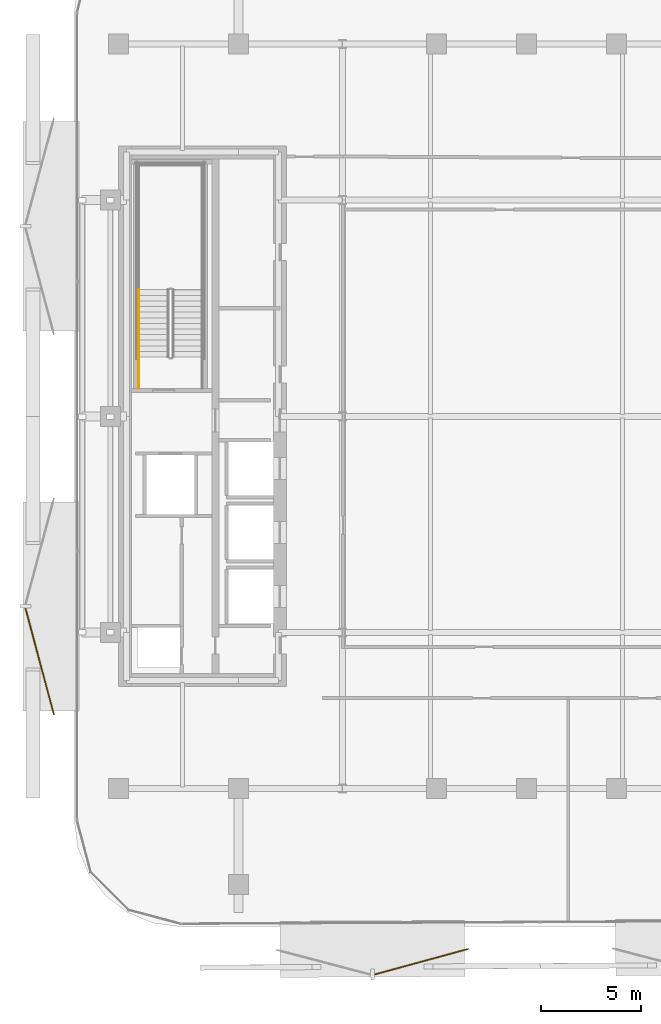
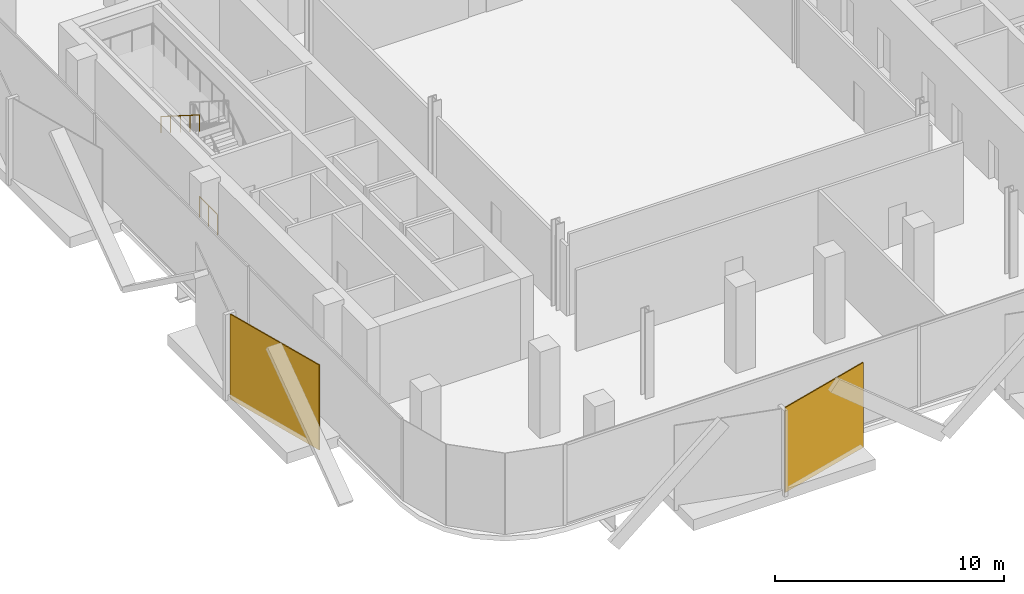
# One storey, part 10 of 14: 2 coverings, 2 railings.
"""IFC4 building model written with IfcOpenShell, lengths in metres."""

from ifc_helpers import new_model, si_unit, direction, frame, origin, origin_2d, place, context, subcontext, project, spatial, rectangle, circle, extrude, material, layer, layer_set, type_object, element, save


model = new_model("IFC4")

# Units and contexts
model_context = context("Model", 3, precision=1e-05, world=origin(), true_north=direction((0.0, 1.0)))
body_context = subcontext(model_context, "Body", "Model", "MODEL_VIEW")
ifc_project = project(units=[si_unit("LENGTHUNIT", "METRE"), si_unit("AREAUNIT", "SQUARE_METRE"), si_unit("VOLUMEUNIT", "CUBIC_METRE"), si_unit("PLANEANGLEUNIT", "RADIAN"), si_unit("MASSUNIT", "GRAM", prefix="KILO")], contexts=[model_context])

# Site, building, storey
site_placement = place(None, origin())
site = spatial("IfcSite", under=ifc_project, at=site_placement, CompositionType="ELEMENT")
building_placement = place(site_placement, origin())
building = spatial("IfcBuilding", under=site, at=building_placement, Name="Khairoan Windgate Tower", CompositionType="ELEMENT")
storey_placement = place(building_placement, frame((0.0, 0.0, 160.39990234375)))
storey = spatial("IfcBuildingStorey", under=building, at=storey_placement, Name="L36", CompositionType="ELEMENT", Elevation=160.39990234375)

# Coverings
ifc_material_1 = material(Name="Anodised Bronze Aluminium 6063-T6", Category="aluminium")
ifc_layer = layer(ifc_material_1, 0.054931640625, Name="Anodised Bronze Aluminium 6063-T6")
ifc_layer_set = layer_set([ifc_layer], Name="Anodised Bronze Aluminium 6063-T6")
covering_type = type_object("IfcCoveringType", Name="Perforated Bronze-Ceramic Folded Solar Screen Cladding BSC-1", PredefinedType="CLADDING", material=ifc_layer_set)
covering_1_placement = place(storey_placement, frame((-5.261962890625, -27.251708984375, -0.099853515625), z_axis=(0.0, 0.0, 1.0), x_axis=(-0.964649468762, -0.263536339841, 0.0)))
element("IfcCovering", 1, at=covering_1_placement, inside=storey, type_object=covering_type, Name="L36 Folded Bronze Solar Screen Facet 226L", PredefinedType="CLADDING", context=body_context, shape_type="SweptSolid", body=[
    extrude(rectangle(XDim=4.861083984375, YDim=0.054931640625, at=origin_2d()), origin(), (0.0, 0.0, 1.0), 4.5400390625),
])
covering_2_placement = place(storey_placement, frame((-24.327392578125, -12.2451171875, -0.099853515625), z_axis=(0.0, 0.0, 1.0), x_axis=(-0.258819045103, 0.965925826289, 0.0)))
element("IfcCovering", 2, at=covering_2_placement, inside=storey, type_object=covering_type, Name="L36 Folded Bronze Solar Screen Facet 227L", PredefinedType="CLADDING", context=body_context, shape_type="SweptSolid", body=[
    extrude(rectangle(XDim=5.507080078125, YDim=0.054931640625, at=origin_2d()), origin(), (0.0, 0.0, 1.0), 4.5400390625),
])

# Railings
ifc_material_2 = material(Name="Anodised Bronze Aluminium 6063-T6", Category="aluminium")
railing_type_1 = type_object("IfcRailingType", Name="Stair Wall Handrail SHR-900", PredefinedType="HANDRAIL", material=ifc_material_2)
railing_1_placement = place(storey_placement, frame((-19.3701171875, 6.320068359375, 2.47705078125)))
element("IfcRailing", 3, at=railing_1_placement, inside=storey, type_object=railing_type_1, Name="L36 ST2 stair handrail 2", PredefinedType="HANDRAIL", context=body_context, shape_type="SweptSolid", body=[
    extrude(circle(Radius=0.02392578125, at=origin_2d()), frame((0.0, 0.0, 0.8759765625), z_axis=(0.0, -0.845389635667, 0.534150132366), x_axis=(1.0, 0.0, 0.0)), (0.0, 0.0, 1.0), 3.974609375),
    extrude(circle(Radius=0.02099609375, at=origin_2d()), origin(), (0.0, 0.0, 1.0), 0.851806640625),
    extrude(circle(Radius=0.02099609375, at=origin_2d()), frame((0.0, -0.840087890625, 0.53076171875)), (0.0, 0.0, 1.0), 0.851806640625),
    extrude(circle(Radius=0.02099609375, at=origin_2d()), frame((0.0, -1.68017578125, 1.0615234375)), (0.0, 0.0, 1.0), 0.851806640625),
    extrude(circle(Radius=0.02099609375, at=origin_2d()), frame((0.0, -2.52001953125, 1.59228515625)), (0.0, 0.0, 1.0), 0.851806640625),
    extrude(circle(Radius=0.02099609375, at=origin_2d()), frame((0.0, -3.360107421875, 2.123046875)), (0.0, 0.0, 1.0), 0.851806640625),
])
ifc_material_3 = material(Name="Steel S355", Category="steel")
railing_type_2 = type_object("IfcRailingType", Name="Stairwell Safety Guardrail SGR-1150", PredefinedType="GUARDRAIL", material=ifc_material_3)
railing_2_placement = place(storey_placement, frame((-19.3701171875, 1.39990234375, 0.0)))
element("IfcRailing", 4, at=railing_2_placement, inside=storey, type_object=railing_type_2, Name="L36 ST2 stair guard 9", PredefinedType="GUARDRAIL", context=body_context, shape_type="SweptSolid", body=[
    extrude(circle(Radius=0.02392578125, at=origin_2d()), frame((0.0, 0.0, 1.1259765625), z_axis=(0.0, 1.0, 0.0), x_axis=(-1.0, 0.0, 0.0)), (0.0, 0.0, 1.0), 1.56005859375),
    extrude(circle(Radius=0.02099609375, at=origin_2d()), origin(), (0.0, 0.0, 1.0), 1.101806640625),
    extrude(circle(Radius=0.02099609375, at=origin_2d()), frame((0.0, 0.780029296875, 0.0)), (0.0, 0.0, 1.0), 1.101806640625),
    extrude(circle(Radius=0.02099609375, at=origin_2d()), frame((0.0, 1.56005859375, 0.0)), (0.0, 0.0, 1.0), 1.101806640625),
])

save(model, "model.ifc")
